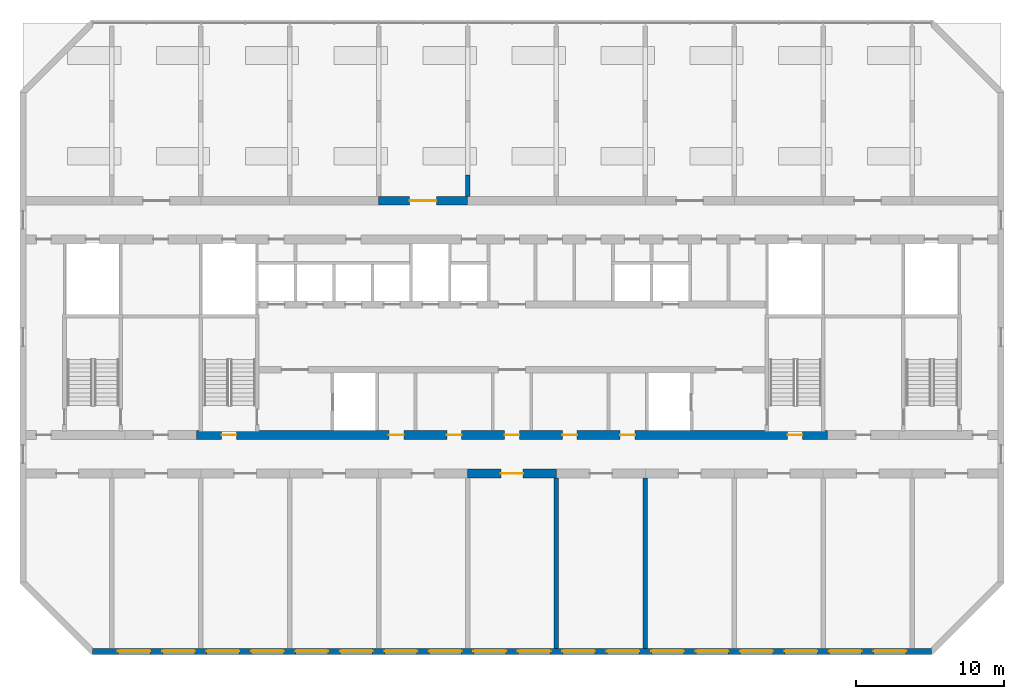
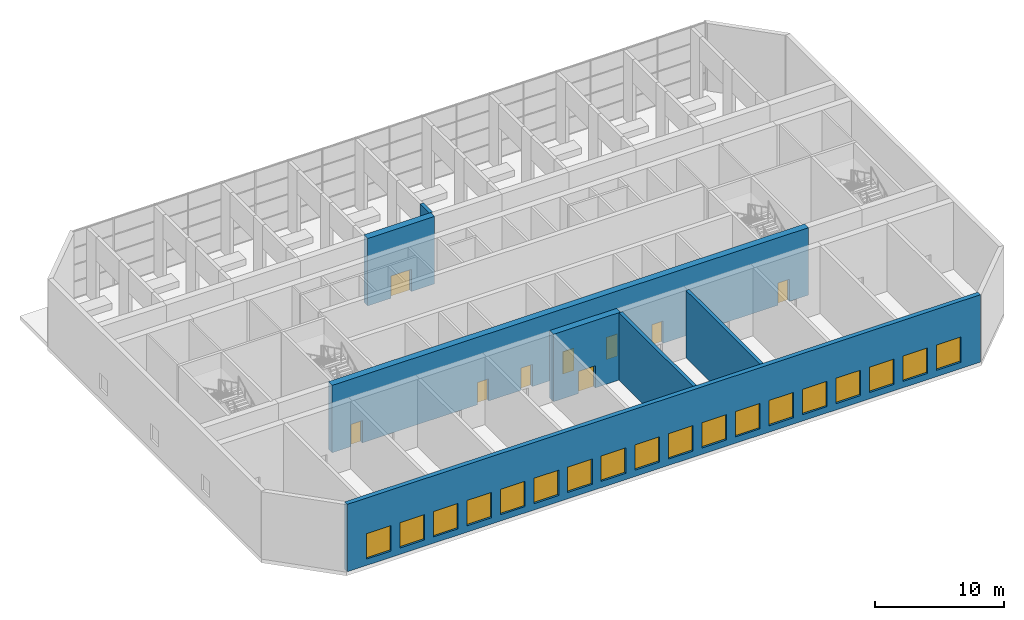
# One storey, part 7 of 13: 18 windows, 9 doors, 7 walls, 27 openings.
"""IFC4 building model written with IfcOpenShell, lengths in metres."""

from ifc_helpers import new_model, si_unit, direction, frame, frame_2d, origin, place, context, subcontext, project, spatial, rectangle, extrude, material, layer, layer_set, type_object, element, fill, save


model = new_model("IFC4")

# Units and contexts
model_context = context("Model", 3, precision=1e-05, world=origin(), true_north=direction((0.0, 1.0)))
body_context = subcontext(model_context, "Body", "Model", "MODEL_VIEW")
ifc_project = project(units=[si_unit("LENGTHUNIT", "METRE"), si_unit("AREAUNIT", "SQUARE_METRE"), si_unit("VOLUMEUNIT", "CUBIC_METRE"), si_unit("PLANEANGLEUNIT", "RADIAN"), si_unit("MASSUNIT", "GRAM", prefix="KILO")], contexts=[model_context])

# Site, building, storey
site_placement = place(None, origin())
site = spatial("IfcSite", under=ifc_project, at=site_placement, CompositionType="ELEMENT")
building_placement = place(site_placement, origin())
building = spatial("IfcBuilding", under=site, at=building_placement, Name="Poui Terraces", CompositionType="ELEMENT")
storey_placement = place(building_placement, frame((0.0, 0.0, 165.300048828125)))
storey = spatial("IfcBuildingStorey", under=building, at=storey_placement, Name="L46", CompositionType="ELEMENT", Elevation=165.300048828125)

# Wall, opening, door
ifc_material_1 = material(Name="Concrete 65 MPa", Category="concrete")
ifc_layer_1 = layer(ifc_material_1, 0.60009765625)
ifc_layer_set_1 = layer_set([ifc_layer_1], Name="Concrete 65 MPa")
wall_type_1 = type_object("IfcWallType", Name="BELT WALL 600 65MPa", PredefinedType="SHEAR", material=ifc_layer_set_1)
wall_1_placement = place(storey_placement, frame((48.0, 12.0, 0.0), z_axis=(0.0, 0.0, 1.0), x_axis=(1.0, 0.0, 0.0)))
wall_1 = element("IfcWall", 1, at=wall_1_placement, inside=storey, type_object=wall_type_1, Name="BELT WALL LINE B BAY 6", PredefinedType="SHEAR", context=body_context, shape_type="SweptSolid", body=[
    extrude(rectangle(XDim=6.0, YDim=0.60009765625, at=frame_2d((3.0, 0.0))), origin(), (0.0, 0.0, 1.0), 6.3798828125),
])
opening_1_placement = place(wall_1_placement, frame((2.25, 0.0, 0.0)))
opening_1 = element("IfcOpeningElement", 2, at=opening_1_placement, cuts=wall_1, Name="Opening FDP", PredefinedType="OPENING", context=body_context, shape_type="SweptSolid", body=[
    extrude(rectangle(XDim=1.5, YDim=2.10009765625, at=frame_2d((0.75, 1.050048828125))), frame((0.0, 0.31005859375, 0.0), z_axis=(0.0, -1.0, 0.0), x_axis=(1.0, 0.0, 0.0)), (0.0, 0.0, 1.0), 0.6201171875),
])
ifc_material_2 = material(Name="Steel fire door", Category="steel")
door_type_1 = type_object("IfcDoorType", Name="PLANT ROOM DOOR PAIR 1500 X 2100", OperationType="DOUBLE_DOOR_SINGLE_SWING", PredefinedType="DOOR", material=ifc_material_2)
door_1_placement = place(opening_1_placement, origin())
door_1 = element("IfcDoor", 3, at=door_1_placement, inside=storey, type_object=door_type_1, Name="PLANT ROOM DOOR PAIR 033", OperationType="DOUBLE_DOOR_SINGLE_SWING", OverallHeight=2.10009765625, OverallWidth=1.5, PredefinedType="DOOR", context=body_context, shape_type="SweptSolid", body=[
    extrude(rectangle(XDim=1.5, YDim=2.10009765625, at=frame_2d((0.75, 1.050048828125))), frame((0.0, 0.02490234375, 0.0), z_axis=(0.0, -1.0, 0.0), x_axis=(1.0, 0.0, 0.0)), (0.0, 0.0, 1.0), 0.050048828125),
])
fill(opening_1, door_1)

wall_2_placement = place(storey_placement, frame((42.0, 30.39990234375, 0.0), z_axis=(0.0, 0.0, 1.0), x_axis=(1.0, 0.0, 0.0)))
wall_2 = element("IfcWall", 4, at=wall_2_placement, inside=storey, type_object=wall_type_1, Name="BELT WALL LINE E BAY 5", PredefinedType="SHEAR", context=body_context, shape_type="SweptSolid", body=[
    extrude(rectangle(XDim=6.0, YDim=0.60009765625, at=frame_2d((3.0, 0.0))), origin(), (0.0, 0.0, 1.0), 6.3798828125),
])
opening_2_placement = place(wall_2_placement, frame((2.10009765625, 0.0, 0.0)))
opening_2 = element("IfcOpeningElement", 5, at=opening_2_placement, cuts=wall_2, Name="Opening DD180", PredefinedType="OPENING", context=body_context, shape_type="SweptSolid", body=[
    extrude(rectangle(XDim=1.800048828125, YDim=2.10009765625, at=frame_2d((0.89990234375, 1.050048828125))), frame((0.0, 0.31005859375, 0.0), z_axis=(0.0, -1.0, 0.0), x_axis=(1.0, 0.0, 0.0)), (0.0, 0.0, 1.0), 0.6201171875),
])
door_type_2 = type_object("IfcDoorType", Name="DOUBLE INTERNAL DOOR 1800 X 2100", OperationType="DOUBLE_DOOR_SINGLE_SWING", PredefinedType="DOOR", material=ifc_material_2)
door_2_placement = place(opening_2_placement, frame((1.800048828125, 0.0, 0.0), z_axis=(0.0, 0.0, 1.0), x_axis=(-1.0, 0.0, 0.0)))
door_2 = element("IfcDoor", 6, at=door_2_placement, inside=storey, type_object=door_type_2, Name="DOUBLE INTERNAL DOOR 008", OperationType="DOUBLE_DOOR_SINGLE_SWING", OverallHeight=2.10009765625, OverallWidth=1.800048828125, PredefinedType="DOOR", context=body_context, shape_type="SweptSolid", body=[
    extrude(rectangle(XDim=1.800048828125, YDim=2.10009765625, at=frame_2d((0.89990234375, 1.050048828125))), frame((0.0, 0.02490234375, 0.0), z_axis=(0.0, -1.0, 0.0), x_axis=(1.0, 0.0, 0.0)), (0.0, 0.0, 1.0), 0.050048828125),
])
fill(opening_2, door_2)

# Walls
ifc_layer_2 = layer(ifc_material_1, 0.300048828125)
ifc_layer_set_2 = layer_set([ifc_layer_2], Name="Concrete 65 MPa")
wall_type_2 = type_object("IfcWallType", Name="CROSS WALL 300 65MPa", PredefinedType="SHEAR", material=ifc_layer_set_2)
for number, where, z_axis, x_axis, name in (
    (7, (54.0, 0.199951171875, 0.0), (0.0, 0.0, 1.0), (0.0, 1.0, 0.0), "CROSS WALL LINE 10 SOUTH"),
    (8, (60.0, 0.199951171875, 0.0), (0.0, 0.0, 1.0), (0.0, 1.0, 0.0), "CROSS WALL LINE 11 SOUTH"),
):
    element("IfcWall", number, at=place(storey_placement, frame(where, z_axis=z_axis, x_axis=x_axis)), inside=storey, type_object=wall_type_2, Name=name, PredefinedType="SHEAR", context=body_context, shape_type="SweptSolid", body=[
        extrude(rectangle(XDim=11.5, YDim=0.300048828125, at=frame_2d((5.75, 0.0))), origin(), (0.0, 0.0, 1.0), 6.3798828125),
    ])

# Wall, openings, windows
ifc_material_3 = material(Name="Precast concrete 40 MPa", Category="concrete")
ifc_layer_3 = layer(ifc_material_3, 0.39990234375)
ifc_layer_set_3 = layer_set([ifc_layer_3], Name="Precast concrete 40 MPa")
wall_type_3 = type_object("IfcWallType", Name="EXTERNAL WALL 400", PredefinedType="STANDARD", material=ifc_layer_set_3)
wall_3_placement = place(storey_placement, frame((22.682861328125, 0.0, 0.0), z_axis=(0.0, 0.0, 1.0), x_axis=(1.0, 0.0, 0.0)))
wall_3 = element("IfcWall", 9, at=wall_3_placement, inside=storey, type_object=wall_type_3, Name="EXTERNAL WALL S", PredefinedType="STANDARD", context=body_context, shape_type="SweptSolid", body=[
    extrude(rectangle(XDim=56.63427734375, YDim=0.39990234375, at=frame_2d((28.317138671875, 0.0))), origin(), (0.0, 0.0, 1.0), 6.3798828125),
])
opening_3_placement = place(wall_3_placement, frame((1.71728515625, 0.0, 0.60009765625)))
opening_3 = element("IfcOpeningElement", 10, at=opening_3_placement, cuts=wall_3, Name="Opening W5", PredefinedType="OPENING", context=body_context, shape_type="SweptSolid", body=[
    extrude(rectangle(XDim=2.199951171875, YDim=2.39990234375, at=frame_2d((1.10009765625, 1.199951171875))), frame((0.0, 0.2099609375, 0.0), z_axis=(0.0, -1.0, 0.0), x_axis=(1.0, 0.0, 0.0)), (0.0, 0.0, 1.0), 0.419921875),
])
opening_4_placement = place(wall_3_placement, frame((4.71728515625, 0.0, 0.60009765625)))
opening_4 = element("IfcOpeningElement", 11, at=opening_4_placement, cuts=wall_3, Name="Opening W5", PredefinedType="OPENING", context=body_context, shape_type="SweptSolid", body=[
    extrude(rectangle(XDim=2.199951171875, YDim=2.39990234375, at=frame_2d((1.10009765625, 1.199951171875))), frame((0.0, 0.2099609375, 0.0), z_axis=(0.0, -1.0, 0.0), x_axis=(1.0, 0.0, 0.0)), (0.0, 0.0, 1.0), 0.419921875),
])
opening_5_placement = place(wall_3_placement, frame((7.71728515625, 0.0, 0.60009765625)))
opening_5 = element("IfcOpeningElement", 12, at=opening_5_placement, cuts=wall_3, Name="Opening W5", PredefinedType="OPENING", context=body_context, shape_type="SweptSolid", body=[
    extrude(rectangle(XDim=2.199951171875, YDim=2.39990234375, at=frame_2d((1.10009765625, 1.199951171875))), frame((0.0, 0.2099609375, 0.0), z_axis=(0.0, -1.0, 0.0), x_axis=(1.0, 0.0, 0.0)), (0.0, 0.0, 1.0), 0.419921875),
])
opening_6_placement = place(wall_3_placement, frame((10.71728515625, 0.0, 0.60009765625)))
opening_6 = element("IfcOpeningElement", 13, at=opening_6_placement, cuts=wall_3, Name="Opening W5", PredefinedType="OPENING", context=body_context, shape_type="SweptSolid", body=[
    extrude(rectangle(XDim=2.199951171875, YDim=2.39990234375, at=frame_2d((1.10009765625, 1.199951171875))), frame((0.0, 0.2099609375, 0.0), z_axis=(0.0, -1.0, 0.0), x_axis=(1.0, 0.0, 0.0)), (0.0, 0.0, 1.0), 0.419921875),
])
opening_7_placement = place(wall_3_placement, frame((13.71728515625, 0.0, 0.60009765625)))
opening_7 = element("IfcOpeningElement", 14, at=opening_7_placement, cuts=wall_3, Name="Opening W5", PredefinedType="OPENING", context=body_context, shape_type="SweptSolid", body=[
    extrude(rectangle(XDim=2.199951171875, YDim=2.39990234375, at=frame_2d((1.10009765625, 1.199951171875))), frame((0.0, 0.2099609375, 0.0), z_axis=(0.0, -1.0, 0.0), x_axis=(1.0, 0.0, 0.0)), (0.0, 0.0, 1.0), 0.419921875),
])
opening_8_placement = place(wall_3_placement, frame((16.71728515625, 0.0, 0.60009765625)))
opening_8 = element("IfcOpeningElement", 15, at=opening_8_placement, cuts=wall_3, Name="Opening W5", PredefinedType="OPENING", context=body_context, shape_type="SweptSolid", body=[
    extrude(rectangle(XDim=2.199951171875, YDim=2.39990234375, at=frame_2d((1.10009765625, 1.199951171875))), frame((0.0, 0.2099609375, 0.0), z_axis=(0.0, -1.0, 0.0), x_axis=(1.0, 0.0, 0.0)), (0.0, 0.0, 1.0), 0.419921875),
])
opening_9_placement = place(wall_3_placement, frame((19.71728515625, 0.0, 0.60009765625)))
opening_9 = element("IfcOpeningElement", 16, at=opening_9_placement, cuts=wall_3, Name="Opening W5", PredefinedType="OPENING", context=body_context, shape_type="SweptSolid", body=[
    extrude(rectangle(XDim=2.199951171875, YDim=2.39990234375, at=frame_2d((1.10009765625, 1.199951171875))), frame((0.0, 0.2099609375, 0.0), z_axis=(0.0, -1.0, 0.0), x_axis=(1.0, 0.0, 0.0)), (0.0, 0.0, 1.0), 0.419921875),
])
opening_10_placement = place(wall_3_placement, frame((22.71728515625, 0.0, 0.60009765625)))
opening_10 = element("IfcOpeningElement", 17, at=opening_10_placement, cuts=wall_3, Name="Opening W5", PredefinedType="OPENING", context=body_context, shape_type="SweptSolid", body=[
    extrude(rectangle(XDim=2.199951171875, YDim=2.39990234375, at=frame_2d((1.10009765625, 1.199951171875))), frame((0.0, 0.2099609375, 0.0), z_axis=(0.0, -1.0, 0.0), x_axis=(1.0, 0.0, 0.0)), (0.0, 0.0, 1.0), 0.419921875),
])
opening_11_placement = place(wall_3_placement, frame((25.71728515625, 0.0, 0.60009765625)))
opening_11 = element("IfcOpeningElement", 18, at=opening_11_placement, cuts=wall_3, Name="Opening W5", PredefinedType="OPENING", context=body_context, shape_type="SweptSolid", body=[
    extrude(rectangle(XDim=2.199951171875, YDim=2.39990234375, at=frame_2d((1.10009765625, 1.199951171875))), frame((0.0, 0.2099609375, 0.0), z_axis=(0.0, -1.0, 0.0), x_axis=(1.0, 0.0, 0.0)), (0.0, 0.0, 1.0), 0.419921875),
])
opening_12_placement = place(wall_3_placement, frame((28.71728515625, 0.0, 0.60009765625)))
opening_12 = element("IfcOpeningElement", 19, at=opening_12_placement, cuts=wall_3, Name="Opening W5", PredefinedType="OPENING", context=body_context, shape_type="SweptSolid", body=[
    extrude(rectangle(XDim=2.199951171875, YDim=2.39990234375, at=frame_2d((1.10009765625, 1.199951171875))), frame((0.0, 0.2099609375, 0.0), z_axis=(0.0, -1.0, 0.0), x_axis=(1.0, 0.0, 0.0)), (0.0, 0.0, 1.0), 0.419921875),
])
opening_13_placement = place(wall_3_placement, frame((31.71728515625, 0.0, 0.60009765625)))
opening_13 = element("IfcOpeningElement", 20, at=opening_13_placement, cuts=wall_3, Name="Opening W5", PredefinedType="OPENING", context=body_context, shape_type="SweptSolid", body=[
    extrude(rectangle(XDim=2.199951171875, YDim=2.39990234375, at=frame_2d((1.10009765625, 1.199951171875))), frame((0.0, 0.2099609375, 0.0), z_axis=(0.0, -1.0, 0.0), x_axis=(1.0, 0.0, 0.0)), (0.0, 0.0, 1.0), 0.419921875),
])
opening_14_placement = place(wall_3_placement, frame((34.71728515625, 0.0, 0.60009765625)))
opening_14 = element("IfcOpeningElement", 21, at=opening_14_placement, cuts=wall_3, Name="Opening W5", PredefinedType="OPENING", context=body_context, shape_type="SweptSolid", body=[
    extrude(rectangle(XDim=2.199951171875, YDim=2.39990234375, at=frame_2d((1.10009765625, 1.199951171875))), frame((0.0, 0.2099609375, 0.0), z_axis=(0.0, -1.0, 0.0), x_axis=(1.0, 0.0, 0.0)), (0.0, 0.0, 1.0), 0.419921875),
])
opening_15_placement = place(wall_3_placement, frame((37.71728515625, 0.0, 0.60009765625)))
opening_15 = element("IfcOpeningElement", 22, at=opening_15_placement, cuts=wall_3, Name="Opening W5", PredefinedType="OPENING", context=body_context, shape_type="SweptSolid", body=[
    extrude(rectangle(XDim=2.199951171875, YDim=2.39990234375, at=frame_2d((1.10009765625, 1.199951171875))), frame((0.0, 0.2099609375, 0.0), z_axis=(0.0, -1.0, 0.0), x_axis=(1.0, 0.0, 0.0)), (0.0, 0.0, 1.0), 0.419921875),
])
opening_16_placement = place(wall_3_placement, frame((40.71728515625, 0.0, 0.60009765625)))
opening_16 = element("IfcOpeningElement", 23, at=opening_16_placement, cuts=wall_3, Name="Opening W5", PredefinedType="OPENING", context=body_context, shape_type="SweptSolid", body=[
    extrude(rectangle(XDim=2.199951171875, YDim=2.39990234375, at=frame_2d((1.10009765625, 1.199951171875))), frame((0.0, 0.2099609375, 0.0), z_axis=(0.0, -1.0, 0.0), x_axis=(1.0, 0.0, 0.0)), (0.0, 0.0, 1.0), 0.419921875),
])
opening_17_placement = place(wall_3_placement, frame((43.71728515625, 0.0, 0.60009765625)))
opening_17 = element("IfcOpeningElement", 24, at=opening_17_placement, cuts=wall_3, Name="Opening W5", PredefinedType="OPENING", context=body_context, shape_type="SweptSolid", body=[
    extrude(rectangle(XDim=2.199951171875, YDim=2.39990234375, at=frame_2d((1.10009765625, 1.199951171875))), frame((0.0, 0.2099609375, 0.0), z_axis=(0.0, -1.0, 0.0), x_axis=(1.0, 0.0, 0.0)), (0.0, 0.0, 1.0), 0.419921875),
])
opening_18_placement = place(wall_3_placement, frame((46.71728515625, 0.0, 0.60009765625)))
opening_18 = element("IfcOpeningElement", 25, at=opening_18_placement, cuts=wall_3, Name="Opening W5", PredefinedType="OPENING", context=body_context, shape_type="SweptSolid", body=[
    extrude(rectangle(XDim=2.199951171875, YDim=2.39990234375, at=frame_2d((1.10009765625, 1.199951171875))), frame((0.0, 0.2099609375, 0.0), z_axis=(0.0, -1.0, 0.0), x_axis=(1.0, 0.0, 0.0)), (0.0, 0.0, 1.0), 0.419921875),
])
opening_19_placement = place(wall_3_placement, frame((49.71728515625, 0.0, 0.60009765625)))
opening_19 = element("IfcOpeningElement", 26, at=opening_19_placement, cuts=wall_3, Name="Opening W5", PredefinedType="OPENING", context=body_context, shape_type="SweptSolid", body=[
    extrude(rectangle(XDim=2.199951171875, YDim=2.39990234375, at=frame_2d((1.10009765625, 1.199951171875))), frame((0.0, 0.2099609375, 0.0), z_axis=(0.0, -1.0, 0.0), x_axis=(1.0, 0.0, 0.0)), (0.0, 0.0, 1.0), 0.419921875),
])
opening_20_placement = place(wall_3_placement, frame((52.71728515625, 0.0, 0.60009765625)))
opening_20 = element("IfcOpeningElement", 27, at=opening_20_placement, cuts=wall_3, Name="Opening W5", PredefinedType="OPENING", context=body_context, shape_type="SweptSolid", body=[
    extrude(rectangle(XDim=2.199951171875, YDim=2.39990234375, at=frame_2d((1.10009765625, 1.199951171875))), frame((0.0, 0.2099609375, 0.0), z_axis=(0.0, -1.0, 0.0), x_axis=(1.0, 0.0, 0.0)), (0.0, 0.0, 1.0), 0.419921875),
])
ifc_material_4 = material(Name="Clear glass in aluminium frame", Category="aluminium")
window_type = type_object("IfcWindowType", Name="WINDOW 2200X2400", PartitioningType="TRIPLE_PANEL_HORIZONTAL", PredefinedType="WINDOW", material=ifc_material_4)
window_1_placement = place(opening_3_placement, origin())
window_1 = element("IfcWindow", 28, at=window_1_placement, inside=storey, type_object=window_type, Name="W5 WINDOW", OverallHeight=2.39990234375, OverallWidth=2.199951171875, PartitioningType="TRIPLE_PANEL_HORIZONTAL", PredefinedType="WINDOW", context=body_context, shape_type="SweptSolid", body=[
    extrude(rectangle(XDim=2.199951171875, YDim=2.39990234375, at=frame_2d((1.10009765625, 1.199951171875))), frame((0.0, 0.030029296875, 0.0), z_axis=(0.0, -1.0, 0.0), x_axis=(1.0, 0.0, 0.0)), (0.0, 0.0, 1.0), 0.06005859375),
])
fill(opening_3, window_1)
window_2_placement = place(opening_4_placement, origin())
window_2 = element("IfcWindow", 29, at=window_2_placement, inside=storey, type_object=window_type, Name="W5 WINDOW", OverallHeight=2.39990234375, OverallWidth=2.199951171875, PartitioningType="TRIPLE_PANEL_HORIZONTAL", PredefinedType="WINDOW", context=body_context, shape_type="SweptSolid", body=[
    extrude(rectangle(XDim=2.199951171875, YDim=2.39990234375, at=frame_2d((1.10009765625, 1.199951171875))), frame((0.0, 0.030029296875, 0.0), z_axis=(0.0, -1.0, 0.0), x_axis=(1.0, 0.0, 0.0)), (0.0, 0.0, 1.0), 0.06005859375),
])
fill(opening_4, window_2)
window_3_placement = place(opening_5_placement, origin())
window_3 = element("IfcWindow", 30, at=window_3_placement, inside=storey, type_object=window_type, Name="W5 WINDOW", OverallHeight=2.39990234375, OverallWidth=2.199951171875, PartitioningType="TRIPLE_PANEL_HORIZONTAL", PredefinedType="WINDOW", context=body_context, shape_type="SweptSolid", body=[
    extrude(rectangle(XDim=2.199951171875, YDim=2.39990234375, at=frame_2d((1.10009765625, 1.199951171875))), frame((0.0, 0.030029296875, 0.0), z_axis=(0.0, -1.0, 0.0), x_axis=(1.0, 0.0, 0.0)), (0.0, 0.0, 1.0), 0.06005859375),
])
fill(opening_5, window_3)
window_4_placement = place(opening_6_placement, origin())
window_4 = element("IfcWindow", 31, at=window_4_placement, inside=storey, type_object=window_type, Name="W5 WINDOW", OverallHeight=2.39990234375, OverallWidth=2.199951171875, PartitioningType="TRIPLE_PANEL_HORIZONTAL", PredefinedType="WINDOW", context=body_context, shape_type="SweptSolid", body=[
    extrude(rectangle(XDim=2.199951171875, YDim=2.39990234375, at=frame_2d((1.10009765625, 1.199951171875))), frame((0.0, 0.030029296875, 0.0), z_axis=(0.0, -1.0, 0.0), x_axis=(1.0, 0.0, 0.0)), (0.0, 0.0, 1.0), 0.06005859375),
])
fill(opening_6, window_4)
window_5_placement = place(opening_7_placement, origin())
window_5 = element("IfcWindow", 32, at=window_5_placement, inside=storey, type_object=window_type, Name="W5 WINDOW", OverallHeight=2.39990234375, OverallWidth=2.199951171875, PartitioningType="TRIPLE_PANEL_HORIZONTAL", PredefinedType="WINDOW", context=body_context, shape_type="SweptSolid", body=[
    extrude(rectangle(XDim=2.199951171875, YDim=2.39990234375, at=frame_2d((1.10009765625, 1.199951171875))), frame((0.0, 0.030029296875, 0.0), z_axis=(0.0, -1.0, 0.0), x_axis=(1.0, 0.0, 0.0)), (0.0, 0.0, 1.0), 0.06005859375),
])
fill(opening_7, window_5)
window_6_placement = place(opening_8_placement, origin())
window_6 = element("IfcWindow", 33, at=window_6_placement, inside=storey, type_object=window_type, Name="W5 WINDOW", OverallHeight=2.39990234375, OverallWidth=2.199951171875, PartitioningType="TRIPLE_PANEL_HORIZONTAL", PredefinedType="WINDOW", context=body_context, shape_type="SweptSolid", body=[
    extrude(rectangle(XDim=2.199951171875, YDim=2.39990234375, at=frame_2d((1.10009765625, 1.199951171875))), frame((0.0, 0.030029296875, 0.0), z_axis=(0.0, -1.0, 0.0), x_axis=(1.0, 0.0, 0.0)), (0.0, 0.0, 1.0), 0.06005859375),
])
fill(opening_8, window_6)
window_7_placement = place(opening_9_placement, origin())
window_7 = element("IfcWindow", 34, at=window_7_placement, inside=storey, type_object=window_type, Name="W5 WINDOW", OverallHeight=2.39990234375, OverallWidth=2.199951171875, PartitioningType="TRIPLE_PANEL_HORIZONTAL", PredefinedType="WINDOW", context=body_context, shape_type="SweptSolid", body=[
    extrude(rectangle(XDim=2.199951171875, YDim=2.39990234375, at=frame_2d((1.10009765625, 1.199951171875))), frame((0.0, 0.030029296875, 0.0), z_axis=(0.0, -1.0, 0.0), x_axis=(1.0, 0.0, 0.0)), (0.0, 0.0, 1.0), 0.06005859375),
])
fill(opening_9, window_7)
window_8_placement = place(opening_10_placement, origin())
window_8 = element("IfcWindow", 35, at=window_8_placement, inside=storey, type_object=window_type, Name="W5 WINDOW", OverallHeight=2.39990234375, OverallWidth=2.199951171875, PartitioningType="TRIPLE_PANEL_HORIZONTAL", PredefinedType="WINDOW", context=body_context, shape_type="SweptSolid", body=[
    extrude(rectangle(XDim=2.199951171875, YDim=2.39990234375, at=frame_2d((1.10009765625, 1.199951171875))), frame((0.0, 0.030029296875, 0.0), z_axis=(0.0, -1.0, 0.0), x_axis=(1.0, 0.0, 0.0)), (0.0, 0.0, 1.0), 0.06005859375),
])
fill(opening_10, window_8)
window_9_placement = place(opening_11_placement, origin())
window_9 = element("IfcWindow", 36, at=window_9_placement, inside=storey, type_object=window_type, Name="W5 WINDOW", OverallHeight=2.39990234375, OverallWidth=2.199951171875, PartitioningType="TRIPLE_PANEL_HORIZONTAL", PredefinedType="WINDOW", context=body_context, shape_type="SweptSolid", body=[
    extrude(rectangle(XDim=2.199951171875, YDim=2.39990234375, at=frame_2d((1.10009765625, 1.199951171875))), frame((0.0, 0.030029296875, 0.0), z_axis=(0.0, -1.0, 0.0), x_axis=(1.0, 0.0, 0.0)), (0.0, 0.0, 1.0), 0.06005859375),
])
fill(opening_11, window_9)
window_10_placement = place(opening_12_placement, origin())
window_10 = element("IfcWindow", 37, at=window_10_placement, inside=storey, type_object=window_type, Name="W5 WINDOW", OverallHeight=2.39990234375, OverallWidth=2.199951171875, PartitioningType="TRIPLE_PANEL_HORIZONTAL", PredefinedType="WINDOW", context=body_context, shape_type="SweptSolid", body=[
    extrude(rectangle(XDim=2.199951171875, YDim=2.39990234375, at=frame_2d((1.10009765625, 1.199951171875))), frame((0.0, 0.030029296875, 0.0), z_axis=(0.0, -1.0, 0.0), x_axis=(1.0, 0.0, 0.0)), (0.0, 0.0, 1.0), 0.06005859375),
])
fill(opening_12, window_10)
window_11_placement = place(opening_13_placement, origin())
window_11 = element("IfcWindow", 38, at=window_11_placement, inside=storey, type_object=window_type, Name="W5 WINDOW", OverallHeight=2.39990234375, OverallWidth=2.199951171875, PartitioningType="TRIPLE_PANEL_HORIZONTAL", PredefinedType="WINDOW", context=body_context, shape_type="SweptSolid", body=[
    extrude(rectangle(XDim=2.199951171875, YDim=2.39990234375, at=frame_2d((1.10009765625, 1.199951171875))), frame((0.0, 0.030029296875, 0.0), z_axis=(0.0, -1.0, 0.0), x_axis=(1.0, 0.0, 0.0)), (0.0, 0.0, 1.0), 0.06005859375),
])
fill(opening_13, window_11)
window_12_placement = place(opening_14_placement, origin())
window_12 = element("IfcWindow", 39, at=window_12_placement, inside=storey, type_object=window_type, Name="W5 WINDOW", OverallHeight=2.39990234375, OverallWidth=2.199951171875, PartitioningType="TRIPLE_PANEL_HORIZONTAL", PredefinedType="WINDOW", context=body_context, shape_type="SweptSolid", body=[
    extrude(rectangle(XDim=2.199951171875, YDim=2.39990234375, at=frame_2d((1.10009765625, 1.199951171875))), frame((0.0, 0.030029296875, 0.0), z_axis=(0.0, -1.0, 0.0), x_axis=(1.0, 0.0, 0.0)), (0.0, 0.0, 1.0), 0.06005859375),
])
fill(opening_14, window_12)
window_13_placement = place(opening_15_placement, origin())
window_13 = element("IfcWindow", 40, at=window_13_placement, inside=storey, type_object=window_type, Name="W5 WINDOW", OverallHeight=2.39990234375, OverallWidth=2.199951171875, PartitioningType="TRIPLE_PANEL_HORIZONTAL", PredefinedType="WINDOW", context=body_context, shape_type="SweptSolid", body=[
    extrude(rectangle(XDim=2.199951171875, YDim=2.39990234375, at=frame_2d((1.10009765625, 1.199951171875))), frame((0.0, 0.030029296875, 0.0), z_axis=(0.0, -1.0, 0.0), x_axis=(1.0, 0.0, 0.0)), (0.0, 0.0, 1.0), 0.06005859375),
])
fill(opening_15, window_13)
window_14_placement = place(opening_16_placement, origin())
window_14 = element("IfcWindow", 41, at=window_14_placement, inside=storey, type_object=window_type, Name="W5 WINDOW", OverallHeight=2.39990234375, OverallWidth=2.199951171875, PartitioningType="TRIPLE_PANEL_HORIZONTAL", PredefinedType="WINDOW", context=body_context, shape_type="SweptSolid", body=[
    extrude(rectangle(XDim=2.199951171875, YDim=2.39990234375, at=frame_2d((1.10009765625, 1.199951171875))), frame((0.0, 0.030029296875, 0.0), z_axis=(0.0, -1.0, 0.0), x_axis=(1.0, 0.0, 0.0)), (0.0, 0.0, 1.0), 0.06005859375),
])
fill(opening_16, window_14)
window_15_placement = place(opening_17_placement, origin())
window_15 = element("IfcWindow", 42, at=window_15_placement, inside=storey, type_object=window_type, Name="W5 WINDOW", OverallHeight=2.39990234375, OverallWidth=2.199951171875, PartitioningType="TRIPLE_PANEL_HORIZONTAL", PredefinedType="WINDOW", context=body_context, shape_type="SweptSolid", body=[
    extrude(rectangle(XDim=2.199951171875, YDim=2.39990234375, at=frame_2d((1.10009765625, 1.199951171875))), frame((0.0, 0.030029296875, 0.0), z_axis=(0.0, -1.0, 0.0), x_axis=(1.0, 0.0, 0.0)), (0.0, 0.0, 1.0), 0.06005859375),
])
fill(opening_17, window_15)
window_16_placement = place(opening_18_placement, origin())
window_16 = element("IfcWindow", 43, at=window_16_placement, inside=storey, type_object=window_type, Name="W5 WINDOW", OverallHeight=2.39990234375, OverallWidth=2.199951171875, PartitioningType="TRIPLE_PANEL_HORIZONTAL", PredefinedType="WINDOW", context=body_context, shape_type="SweptSolid", body=[
    extrude(rectangle(XDim=2.199951171875, YDim=2.39990234375, at=frame_2d((1.10009765625, 1.199951171875))), frame((0.0, 0.030029296875, 0.0), z_axis=(0.0, -1.0, 0.0), x_axis=(1.0, 0.0, 0.0)), (0.0, 0.0, 1.0), 0.06005859375),
])
fill(opening_18, window_16)
window_17_placement = place(opening_19_placement, origin())
window_17 = element("IfcWindow", 44, at=window_17_placement, inside=storey, type_object=window_type, Name="W5 WINDOW", OverallHeight=2.39990234375, OverallWidth=2.199951171875, PartitioningType="TRIPLE_PANEL_HORIZONTAL", PredefinedType="WINDOW", context=body_context, shape_type="SweptSolid", body=[
    extrude(rectangle(XDim=2.199951171875, YDim=2.39990234375, at=frame_2d((1.10009765625, 1.199951171875))), frame((0.0, 0.030029296875, 0.0), z_axis=(0.0, -1.0, 0.0), x_axis=(1.0, 0.0, 0.0)), (0.0, 0.0, 1.0), 0.06005859375),
])
fill(opening_19, window_17)
window_18_placement = place(opening_20_placement, origin())
window_18 = element("IfcWindow", 45, at=window_18_placement, inside=storey, type_object=window_type, Name="W5 WINDOW", OverallHeight=2.39990234375, OverallWidth=2.199951171875, PartitioningType="TRIPLE_PANEL_HORIZONTAL", PredefinedType="WINDOW", context=body_context, shape_type="SweptSolid", body=[
    extrude(rectangle(XDim=2.199951171875, YDim=2.39990234375, at=frame_2d((1.10009765625, 1.199951171875))), frame((0.0, 0.030029296875, 0.0), z_axis=(0.0, -1.0, 0.0), x_axis=(1.0, 0.0, 0.0)), (0.0, 0.0, 1.0), 0.06005859375),
])
fill(opening_20, window_18)

# Wall
ifc_layer_4 = layer(ifc_material_1, 0.300048828125)
ifc_layer_set_4 = layer_set([ifc_layer_4], Name="Concrete 65 MPa")
wall_type_4 = type_object("IfcWallType", Name="PIERCED CROSS WALL 300 65MPa", PredefinedType="SHEAR", material=ifc_layer_set_4)
wall_4_placement = place(storey_placement, frame((48.0, 30.699951171875, 0.0), z_axis=(0.0, 0.0, 1.0), x_axis=(0.0, 1.0, 0.0)))
element("IfcWall", 46, at=wall_4_placement, inside=storey, type_object=wall_type_4, Name="PIER LINE 9 1", PredefinedType="SHEAR", context=body_context, shape_type="SweptSolid", body=[
    extrude(rectangle(XDim=1.433349609375, YDim=0.300048828125, at=frame_2d((0.716796875, 0.0))), origin(), (0.0, 0.0, 1.0), 6.3798828125),
])

# Wall, openings, doors
ifc_layer_5 = layer(ifc_material_1, 0.60009765625)
ifc_layer_set_5 = layer_set([ifc_layer_5], Name="Concrete 65 MPa")
wall_type_5 = type_object("IfcWallType", Name="SPINE WALL 600 65 MPA", PredefinedType="SOLIDWALL", material=ifc_layer_set_5)
wall_5_placement = place(storey_placement, frame((29.699951171875, 14.60009765625, 0.0), z_axis=(0.0, 0.0, 1.0), x_axis=(1.0, 0.0, 0.0)))
wall_5 = element("IfcWall", 47, at=wall_5_placement, inside=storey, type_object=wall_type_5, Name="SPINE WALL", PredefinedType="SOLIDWALL", context=body_context, shape_type="SweptSolid", body=[
    extrude(rectangle(XDim=42.60009765625, YDim=0.60009765625, at=frame_2d((21.300048828125, 0.0))), origin(), (0.0, 0.0, 1.0), 6.3798828125),
])
opening_21_placement = place(wall_5_placement, frame((1.699951171875, 0.0, 0.0)))
opening_21 = element("IfcOpeningElement", 48, at=opening_21_placement, cuts=wall_5, Name="Opening FD60S", PredefinedType="OPENING", context=body_context, shape_type="SweptSolid", body=[
    extrude(rectangle(XDim=1.0, YDim=2.10009765625, at=frame_2d((0.5, 1.050048828125))), frame((0.0, 0.31005859375, 0.0), z_axis=(0.0, -1.0, 0.0), x_axis=(1.0, 0.0, 0.0)), (0.0, 0.0, 1.0), 0.6201171875),
])
opening_22_placement = place(wall_5_placement, frame((13.0, 0.0, 0.0)))
opening_22 = element("IfcOpeningElement", 49, at=opening_22_placement, cuts=wall_5, Name="Opening FD60", PredefinedType="OPENING", context=body_context, shape_type="SweptSolid", body=[
    extrude(rectangle(XDim=1.0, YDim=2.10009765625, at=frame_2d((0.5, 1.050048828125))), frame((0.0, 0.31005859375, 0.0), z_axis=(0.0, -1.0, 0.0), x_axis=(1.0, 0.0, 0.0)), (0.0, 0.0, 1.0), 0.6201171875),
])
opening_23_placement = place(wall_5_placement, frame((16.89990234375, 0.0, 0.0)))
opening_23 = element("IfcOpeningElement", 50, at=opening_23_placement, cuts=wall_5, Name="Opening FD60", PredefinedType="OPENING", context=body_context, shape_type="SweptSolid", body=[
    extrude(rectangle(XDim=1.0, YDim=2.10009765625, at=frame_2d((0.5, 1.050048828125))), frame((0.0, 0.31005859375, 0.0), z_axis=(0.0, -1.0, 0.0), x_axis=(1.0, 0.0, 0.0)), (0.0, 0.0, 1.0), 0.6201171875),
])
opening_24_placement = place(wall_5_placement, frame((20.800048828125, 0.0, 0.0)))
opening_24 = element("IfcOpeningElement", 51, at=opening_24_placement, cuts=wall_5, Name="Opening FDL", PredefinedType="OPENING", context=body_context, shape_type="SweptSolid", body=[
    extrude(rectangle(XDim=1.0, YDim=2.10009765625, at=frame_2d((0.5, 1.050048828125))), frame((0.0, 0.31005859375, 0.0), z_axis=(0.0, -1.0, 0.0), x_axis=(1.0, 0.0, 0.0)), (0.0, 0.0, 1.0), 0.6201171875),
])
opening_25_placement = place(wall_5_placement, frame((24.699951171875, 0.0, 0.0)))
opening_25 = element("IfcOpeningElement", 52, at=opening_25_placement, cuts=wall_5, Name="Opening FD60", PredefinedType="OPENING", context=body_context, shape_type="SweptSolid", body=[
    extrude(rectangle(XDim=1.0, YDim=2.10009765625, at=frame_2d((0.5, 1.050048828125))), frame((0.0, 0.31005859375, 0.0), z_axis=(0.0, -1.0, 0.0), x_axis=(1.0, 0.0, 0.0)), (0.0, 0.0, 1.0), 0.6201171875),
])
opening_26_placement = place(wall_5_placement, frame((28.60009765625, 0.0, 0.0)))
opening_26 = element("IfcOpeningElement", 53, at=opening_26_placement, cuts=wall_5, Name="Opening FD60", PredefinedType="OPENING", context=body_context, shape_type="SweptSolid", body=[
    extrude(rectangle(XDim=1.0, YDim=2.10009765625, at=frame_2d((0.5, 1.050048828125))), frame((0.0, 0.31005859375, 0.0), z_axis=(0.0, -1.0, 0.0), x_axis=(1.0, 0.0, 0.0)), (0.0, 0.0, 1.0), 0.6201171875),
])
opening_27_placement = place(wall_5_placement, frame((39.89990234375, 0.0, 0.0)))
opening_27 = element("IfcOpeningElement", 54, at=opening_27_placement, cuts=wall_5, Name="Opening FD60S", PredefinedType="OPENING", context=body_context, shape_type="SweptSolid", body=[
    extrude(rectangle(XDim=1.0, YDim=2.10009765625, at=frame_2d((0.5, 1.050048828125))), frame((0.0, 0.31005859375, 0.0), z_axis=(0.0, -1.0, 0.0), x_axis=(1.0, 0.0, 0.0)), (0.0, 0.0, 1.0), 0.6201171875),
])
door_type_3 = type_object("IfcDoorType", Name="LOBBY FIRE DOOR 1000 X 2100", OperationType="NOTDEFINED", PredefinedType="DOOR", material=ifc_material_2)
door_3_placement = place(opening_24_placement, frame((1.0, 0.0, 0.0), z_axis=(0.0, 0.0, 1.0), x_axis=(-1.0, 0.0, 0.0)))
door_3 = element("IfcDoor", 55, at=door_3_placement, inside=storey, type_object=door_type_3, Name="LOBBY FIRE DOOR 034", OperationType="SINGLE_SWING_LEFT", OverallHeight=2.10009765625, OverallWidth=1.0, PredefinedType="DOOR", context=body_context, shape_type="SweptSolid", body=[
    extrude(rectangle(XDim=1.0, YDim=2.10009765625, at=frame_2d((0.5, 1.050048828125))), frame((0.0, 0.02490234375, 0.0), z_axis=(0.0, -1.0, 0.0), x_axis=(1.0, 0.0, 0.0)), (0.0, 0.0, 1.0), 0.050048828125),
])
fill(opening_24, door_3)
door_type_4 = type_object("IfcDoorType", Name="SERVICE ROOM FIRE DOOR 1000 X 2100", OperationType="NOTDEFINED", PredefinedType="DOOR", material=ifc_material_2)
door_4_placement = place(opening_22_placement, frame((1.0, 0.0, 0.0), z_axis=(0.0, 0.0, 1.0), x_axis=(-1.0, 0.0, 0.0)))
door_4 = element("IfcDoor", 56, at=door_4_placement, inside=storey, type_object=door_type_4, Name="SERVICE ROOM FIRE DOOR 030", OperationType="SINGLE_SWING_LEFT", OverallHeight=2.10009765625, OverallWidth=1.0, PredefinedType="DOOR", context=body_context, shape_type="SweptSolid", body=[
    extrude(rectangle(XDim=1.0, YDim=2.10009765625, at=frame_2d((0.5, 1.050048828125))), frame((0.0, 0.02490234375, 0.0), z_axis=(0.0, -1.0, 0.0), x_axis=(1.0, 0.0, 0.0)), (0.0, 0.0, 1.0), 0.050048828125),
])
fill(opening_22, door_4)
door_5_placement = place(opening_23_placement, frame((1.0, 0.0, 0.0), z_axis=(0.0, 0.0, 1.0), x_axis=(-1.0, 0.0, 0.0)))
door_5 = element("IfcDoor", 57, at=door_5_placement, inside=storey, type_object=door_type_4, Name="SERVICE ROOM FIRE DOOR 032", OperationType="SINGLE_SWING_RIGHT", OverallHeight=2.10009765625, OverallWidth=1.0, PredefinedType="DOOR", context=body_context, shape_type="SweptSolid", body=[
    extrude(rectangle(XDim=1.0, YDim=2.10009765625, at=frame_2d((0.5, 1.050048828125))), frame((0.0, 0.02490234375, 0.0), z_axis=(0.0, -1.0, 0.0), x_axis=(1.0, 0.0, 0.0)), (0.0, 0.0, 1.0), 0.050048828125),
])
fill(opening_23, door_5)
door_6_placement = place(opening_25_placement, frame((1.0, 0.0, 0.0), z_axis=(0.0, 0.0, 1.0), x_axis=(-1.0, 0.0, 0.0)))
door_6 = element("IfcDoor", 58, at=door_6_placement, inside=storey, type_object=door_type_4, Name="SERVICE ROOM FIRE DOOR 035", OperationType="SINGLE_SWING_LEFT", OverallHeight=2.10009765625, OverallWidth=1.0, PredefinedType="DOOR", context=body_context, shape_type="SweptSolid", body=[
    extrude(rectangle(XDim=1.0, YDim=2.10009765625, at=frame_2d((0.5, 1.050048828125))), frame((0.0, 0.02490234375, 0.0), z_axis=(0.0, -1.0, 0.0), x_axis=(1.0, 0.0, 0.0)), (0.0, 0.0, 1.0), 0.050048828125),
])
fill(opening_25, door_6)
door_7_placement = place(opening_26_placement, frame((1.0, 0.0, 0.0), z_axis=(0.0, 0.0, 1.0), x_axis=(-1.0, 0.0, 0.0)))
door_7 = element("IfcDoor", 59, at=door_7_placement, inside=storey, type_object=door_type_4, Name="SERVICE ROOM FIRE DOOR 037", OperationType="SINGLE_SWING_RIGHT", OverallHeight=2.10009765625, OverallWidth=1.0, PredefinedType="DOOR", context=body_context, shape_type="SweptSolid", body=[
    extrude(rectangle(XDim=1.0, YDim=2.10009765625, at=frame_2d((0.5, 1.050048828125))), frame((0.0, 0.02490234375, 0.0), z_axis=(0.0, -1.0, 0.0), x_axis=(1.0, 0.0, 0.0)), (0.0, 0.0, 1.0), 0.050048828125),
])
fill(opening_26, door_7)
door_type_5 = type_object("IfcDoorType", Name="STAIR DOOR 1000 X 2100", OperationType="NOTDEFINED", PredefinedType="DOOR", material=ifc_material_2)
door_8_placement = place(opening_21_placement, origin())
door_8 = element("IfcDoor", 60, at=door_8_placement, inside=storey, type_object=door_type_5, Name="STAIR DOOR 027", OperationType="SINGLE_SWING_RIGHT", OverallHeight=2.10009765625, OverallWidth=1.0, PredefinedType="DOOR", context=body_context, shape_type="SweptSolid", body=[
    extrude(rectangle(XDim=1.0, YDim=2.10009765625, at=frame_2d((0.5, 1.050048828125))), frame((0.0, 0.02490234375, 0.0), z_axis=(0.0, -1.0, 0.0), x_axis=(1.0, 0.0, 0.0)), (0.0, 0.0, 1.0), 0.050048828125),
])
fill(opening_21, door_8)
door_9_placement = place(opening_27_placement, origin())
door_9 = element("IfcDoor", 61, at=door_9_placement, inside=storey, type_object=door_type_5, Name="STAIR DOOR 040", OperationType="SINGLE_SWING_RIGHT", OverallHeight=2.10009765625, OverallWidth=1.0, PredefinedType="DOOR", context=body_context, shape_type="SweptSolid", body=[
    extrude(rectangle(XDim=1.0, YDim=2.10009765625, at=frame_2d((0.5, 1.050048828125))), frame((0.0, 0.02490234375, 0.0), z_axis=(0.0, -1.0, 0.0), x_axis=(1.0, 0.0, 0.0)), (0.0, 0.0, 1.0), 0.050048828125),
])
fill(opening_27, door_9)

save(model, "model.ifc")
